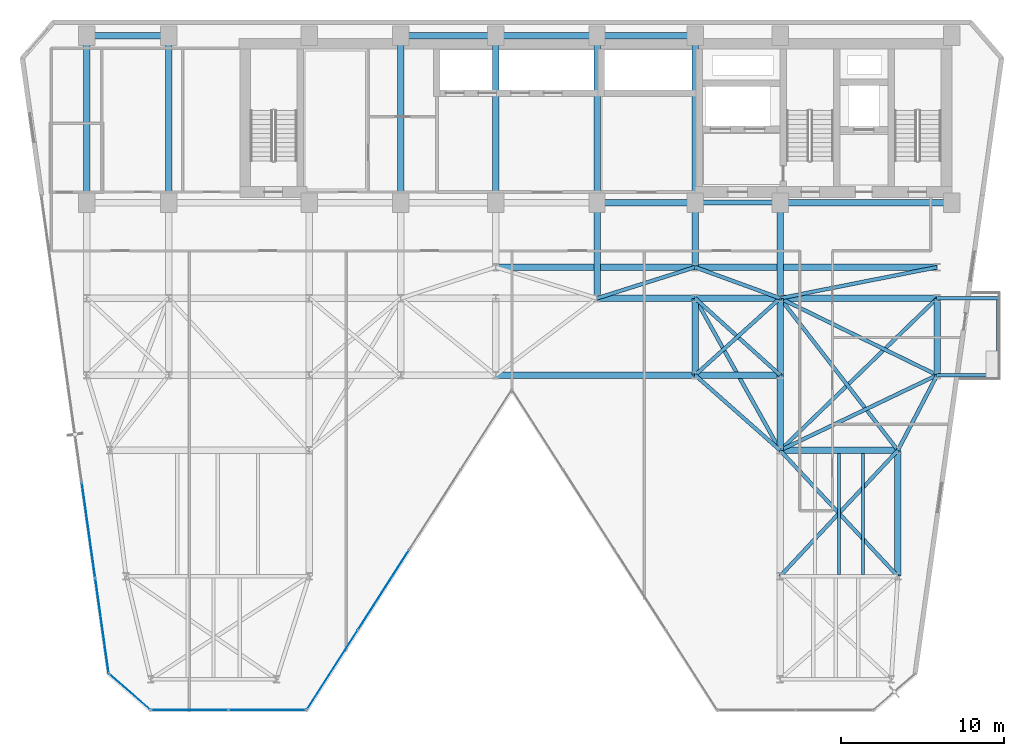
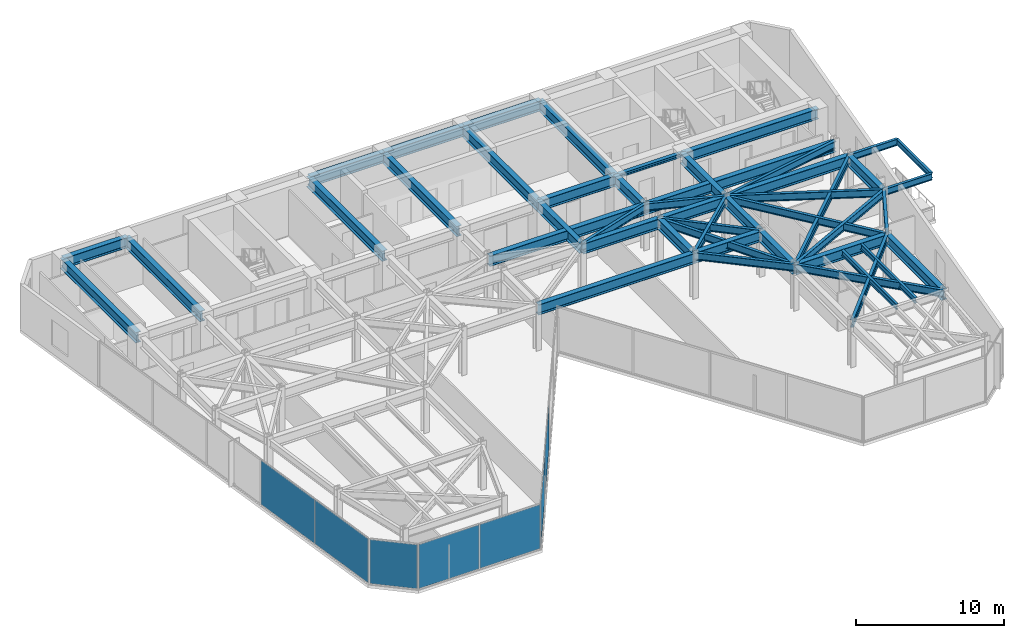
# One storey, part 20 of 26: 48 beams, 7 plates, 4 elements without a shape of their own.
"""IFC4 building model written with IfcOpenShell, lengths in metres."""

from ifc_helpers import new_model, si_unit, direction, frame, origin, origin_2d, place, context, subcontext, project, spatial, rectangle, i_section, extrude, material, layer, layer_set, material_profile, profile_set, type_object, element, aggregate, save


model = new_model("IFC4")

# Units and contexts
model_context = context("Model", 3, precision=1e-05, world=origin(), true_north=direction((0.0, 1.0)))
body_context = subcontext(model_context, "Body", "Model", "MODEL_VIEW")
ifc_project = project(units=[si_unit("LENGTHUNIT", "METRE"), si_unit("AREAUNIT", "SQUARE_METRE"), si_unit("VOLUMEUNIT", "CUBIC_METRE"), si_unit("PLANEANGLEUNIT", "RADIAN"), si_unit("MASSUNIT", "GRAM", prefix="KILO")], contexts=[model_context])

# Site, building, storey
site_placement = place(None, origin())
site = spatial("IfcSite", under=ifc_project, at=site_placement, CompositionType="ELEMENT")
building_placement = place(site_placement, origin())
building = spatial("IfcBuilding", under=site, at=building_placement, Name="Kravanh Interchange Tower", CompositionType="ELEMENT")
storey_placement = place(building_placement, frame((0.0, 0.0, 132.0)))
storey = spatial("IfcBuildingStorey", under=building, at=storey_placement, Name="L31", CompositionType="ELEMENT", Elevation=132.0)

# Beams
ifc_material_1 = material(Name="Structural Steel S355", Category="steel")
ifc_material_profile_1 = material_profile(ifc_material_1, i_section(OverallWidth=0.39990234375, OverallDepth=0.85595703125, WebThickness=0.018310546875, FlangeThickness=0.029296875, FilletRadius=0.02490234375, at=origin_2d()), Name="W33X201")
ifc_profile_set_1 = profile_set([ifc_material_profile_1], Name="Structural Steel S355")
beam_type_1 = type_object("IfcBeamType", Name="Floor Beam W33X201 Structural Steel S355", PredefinedType="BEAM", material=ifc_profile_set_1)
beam_1_placement = place(storey_placement, frame((66.5, 37.35009765625, 3.322021484375), z_axis=(-1.0, 0.0, 0.0), x_axis=(0.0, -1.0, 0.0)))
element("IfcBeam", 1, at=beam_1_placement, inside=storey, type_object=beam_type_1, Name="L31 Primary Floor Girder 5", PredefinedType="BEAM", context=body_context, shape_type="SweptSolid", body=[
    extrude(i_section(OverallWidth=0.39990234375, OverallDepth=0.85595703125, WebThickness=0.018310546875, FlangeThickness=0.029296875, FilletRadius=0.02490234375, at=origin_2d()), origin(), (0.0, 0.0, 1.0), 10.5),
])
beam_2_placement = place(storey_placement, frame((56.0, 37.35009765625, 3.322021484375), z_axis=(0.0, -1.0, 0.0), x_axis=(1.0, 0.0, 0.0)))
element("IfcBeam", 2, at=beam_2_placement, inside=storey, type_object=beam_type_1, Name="L31 Primary Floor Girder 7", PredefinedType="BEAM", context=body_context, shape_type="SweptSolid", body=[
    extrude(i_section(OverallWidth=0.39990234375, OverallDepth=0.85595703125, WebThickness=0.018310546875, FlangeThickness=0.029296875, FilletRadius=0.02490234375, at=origin_2d()), origin(), (0.0, 0.0, 1.0), 5.85009765625),
])
beam_3_placement = place(storey_placement, frame((50.800048828125, 47.550048828125, 3.322021484375), z_axis=(-1.0, 0.0, 0.0), x_axis=(0.0, -1.0, 0.0)))
element("IfcBeam", 3, at=beam_3_placement, inside=storey, type_object=beam_type_1, Name="L31 Primary Floor Girder 8", PredefinedType="BEAM", context=body_context, shape_type="SweptSolid", body=[
    extrude(i_section(OverallWidth=0.39990234375, OverallDepth=0.85595703125, WebThickness=0.018310546875, FlangeThickness=0.029296875, FilletRadius=0.02490234375, at=origin_2d()), origin(), (0.0, 0.0, 1.0), 6.0),
])
beam_4_placement = place(storey_placement, frame((50.800048828125, 47.550048828125, 3.322021484375), z_axis=(0.0, -1.0, 0.0), x_axis=(1.0, 0.0, 0.0)))
element("IfcBeam", 4, at=beam_4_placement, inside=storey, type_object=beam_type_1, Name="L31 Primary Floor Girder 9", PredefinedType="BEAM", context=body_context, shape_type="SweptSolid", body=[
    extrude(i_section(OverallWidth=0.39990234375, OverallDepth=0.85595703125, WebThickness=0.018310546875, FlangeThickness=0.029296875, FilletRadius=0.02490234375, at=origin_2d()), origin(), (0.0, 0.0, 1.0), 10.199951171875),
])
beam_5_placement = place(storey_placement, frame((50.800048828125, 37.35009765625, 3.322021484375), z_axis=(0.0, -1.0, 0.0), x_axis=(1.0, 0.0, 0.0)))
element("IfcBeam", 5, at=beam_5_placement, inside=storey, type_object=beam_type_1, Name="L31 Primary Floor Girder 10", PredefinedType="BEAM", context=body_context, shape_type="SweptSolid", body=[
    extrude(i_section(OverallWidth=0.39990234375, OverallDepth=0.85595703125, WebThickness=0.018310546875, FlangeThickness=0.029296875, FilletRadius=0.02490234375, at=origin_2d()), origin(), (0.0, 0.0, 1.0), 3.9501953125),
])
beam_6_placement = place(storey_placement, frame((50.800048828125, 37.35009765625, 3.322021484375), z_axis=(-1.0, 0.0, 0.0), x_axis=(0.0, -1.0, 0.0)))
element("IfcBeam", 6, at=beam_6_placement, inside=storey, type_object=beam_type_1, Name="L31 Primary Floor Girder 11", PredefinedType="BEAM", context=body_context, shape_type="SweptSolid", body=[
    extrude(i_section(OverallWidth=0.39990234375, OverallDepth=0.85595703125, WebThickness=0.018310546875, FlangeThickness=0.029296875, FilletRadius=0.02490234375, at=origin_2d()), origin(), (0.0, 0.0, 1.0), 6.0),
])
beam_7_placement = place(storey_placement, frame((44.800048828125, 37.35009765625, 3.322021484375), z_axis=(0.0, -1.0, 0.0), x_axis=(1.0, 0.0, 0.0)))
element("IfcBeam", 7, at=beam_7_placement, inside=storey, type_object=beam_type_1, Name="L31 Primary Floor Girder 12", PredefinedType="BEAM", context=body_context, shape_type="SweptSolid", body=[
    extrude(i_section(OverallWidth=0.39990234375, OverallDepth=0.85595703125, WebThickness=0.018310546875, FlangeThickness=0.029296875, FilletRadius=0.02490234375, at=origin_2d()), origin(), (0.0, 0.0, 1.0), 5.85009765625),
])
beam_8_placement = place(storey_placement, frame((44.800048828125, 37.35009765625, 3.322021484375), z_axis=(0.0, 1.0, 0.0), x_axis=(-1.0, 0.0, 0.0)))
element("IfcBeam", 8, at=beam_8_placement, inside=storey, type_object=beam_type_1, Name="L31 Primary Floor Girder 14", PredefinedType="BEAM", context=body_context, shape_type="SweptSolid", body=[
    extrude(i_section(OverallWidth=0.39990234375, OverallDepth=0.85595703125, WebThickness=0.018310546875, FlangeThickness=0.029296875, FilletRadius=0.02490234375, at=origin_2d()), origin(), (0.0, 0.0, 1.0), 10.199951171875),
])
beam_9_placement = place(storey_placement, frame((44.800048828125, 47.550048828125, 3.322021484375), z_axis=(-1.0, 0.0, 0.0), x_axis=(0.0, -1.0, 0.0)))
element("IfcBeam", 9, at=beam_9_placement, inside=storey, type_object=beam_type_1, Name="L31 Primary Floor Girder 15", PredefinedType="BEAM", context=body_context, shape_type="SweptSolid", body=[
    extrude(i_section(OverallWidth=0.39990234375, OverallDepth=0.85595703125, WebThickness=0.018310546875, FlangeThickness=0.029296875, FilletRadius=0.02490234375, at=origin_2d()), origin(), (0.0, 0.0, 1.0), 6.199951171875),
])
beam_10_placement = place(storey_placement, frame((38.60009765625, 37.35009765625, 3.322021484375), z_axis=(0.0, 1.0, 0.0), x_axis=(-1.0, 0.0, 0.0)))
element("IfcBeam", 10, at=beam_10_placement, inside=storey, type_object=beam_type_1, Name="L31 Primary Floor Girder 18", PredefinedType="BEAM", context=body_context, shape_type="SweptSolid", body=[
    extrude(i_section(OverallWidth=0.39990234375, OverallDepth=0.85595703125, WebThickness=0.018310546875, FlangeThickness=0.029296875, FilletRadius=0.02490234375, at=origin_2d()), origin(), (0.0, 0.0, 1.0), 10.199951171875),
])
beam_11_placement = place(storey_placement, frame((38.60009765625, 47.550048828125, 3.322021484375), z_axis=(-1.0, 0.0, 0.0), x_axis=(0.0, -1.0, 0.0)))
element("IfcBeam", 11, at=beam_11_placement, inside=storey, type_object=beam_type_1, Name="L31 Primary Floor Girder 19", PredefinedType="BEAM", context=body_context, shape_type="SweptSolid", body=[
    extrude(i_section(OverallWidth=0.39990234375, OverallDepth=0.85595703125, WebThickness=0.018310546875, FlangeThickness=0.029296875, FilletRadius=0.02490234375, at=origin_2d()), origin(), (0.0, 0.0, 1.0), 5.800048828125),
])
for number, where, z_axis, x_axis, name in (
    (12, (32.800048828125, 37.35009765625, 3.322021484375), (0.0, 1.0, 0.0), (-1.0, 0.0, 0.0), "L31 Primary Floor Girder 22"),
    (13, (18.60009765625, 37.35009765625, 3.322021484375), (0.0, 1.0, 0.0), (-1.0, 0.0, 0.0), "L31 Primary Floor Girder 30"),
):
    element("IfcBeam", number, at=place(storey_placement, frame(where, z_axis=z_axis, x_axis=x_axis)), inside=storey, type_object=beam_type_1, Name=name, PredefinedType="BEAM", context=body_context, shape_type="SweptSolid", body=[
        extrude(i_section(OverallWidth=0.39990234375, OverallDepth=0.85595703125, WebThickness=0.018310546875, FlangeThickness=0.029296875, FilletRadius=0.02490234375, at=origin_2d()), origin(), (0.0, 0.0, 1.0), 10.199951171875),
    ])
beam_12_placement = place(storey_placement, frame((18.60009765625, 47.550048828125, 3.322021484375), z_axis=(-1.0, 0.0, 0.0), x_axis=(0.0, -1.0, 0.0)))
element("IfcBeam", 14, at=beam_12_placement, inside=storey, type_object=beam_type_1, Name="L31 Primary Floor Girder 31", PredefinedType="BEAM", context=body_context, shape_type="SweptSolid", body=[
    extrude(i_section(OverallWidth=0.39990234375, OverallDepth=0.85595703125, WebThickness=0.018310546875, FlangeThickness=0.029296875, FilletRadius=0.02490234375, at=origin_2d()), origin(), (0.0, 0.0, 1.0), 5.0),
])
beam_13_placement = place(storey_placement, frame((13.60009765625, 37.35009765625, 3.322021484375), z_axis=(0.0, 1.0, 0.0), x_axis=(-1.0, 0.0, 0.0)))
element("IfcBeam", 15, at=beam_13_placement, inside=storey, type_object=beam_type_1, Name="L31 Primary Floor Girder 33", PredefinedType="BEAM", context=body_context, shape_type="SweptSolid", body=[
    extrude(i_section(OverallWidth=0.39990234375, OverallDepth=0.85595703125, WebThickness=0.018310546875, FlangeThickness=0.029296875, FilletRadius=0.02490234375, at=origin_2d()), origin(), (0.0, 0.0, 1.0), 10.199951171875),
])
beam_14_placement = place(storey_placement, frame((38.60009765625, 26.800048828125, 3.322021484375), z_axis=(1.0, 0.0, 0.0), x_axis=(0.0, 1.0, 0.0)))
element("IfcBeam", 16, at=beam_14_placement, inside=storey, type_object=beam_type_1, Name="L31 Primary Floor Girder 56", PredefinedType="BEAM", context=body_context, shape_type="SweptSolid", body=[
    extrude(i_section(OverallWidth=0.39990234375, OverallDepth=0.85595703125, WebThickness=0.018310546875, FlangeThickness=0.029296875, FilletRadius=0.02490234375, at=origin_2d()), origin(), (0.0, 0.0, 1.0), 12.199951171875),
])
beam_15_placement = place(storey_placement, frame((50.800048828125, 26.800048828125, 3.322021484375), z_axis=(0.0, 1.0, 0.0), x_axis=(-1.0, 0.0, 0.0)))
element("IfcBeam", 17, at=beam_15_placement, inside=storey, type_object=beam_type_1, Name="L31 Primary Floor Girder 57", PredefinedType="BEAM", context=body_context, shape_type="SweptSolid", body=[
    extrude(i_section(OverallWidth=0.39990234375, OverallDepth=0.85595703125, WebThickness=0.018310546875, FlangeThickness=0.029296875, FilletRadius=0.02490234375, at=origin_2d()), origin(), (0.0, 0.0, 1.0), 4.699951171875),
])
beam_16_placement = place(storey_placement, frame((50.800048828125, 26.800048828125, 3.322021484375), z_axis=(1.0, 0.0, 0.0), x_axis=(0.0, 1.0, 0.0)))
element("IfcBeam", 18, at=beam_16_placement, inside=storey, type_object=beam_type_1, Name="L31 Primary Floor Girder 58", PredefinedType="BEAM", context=body_context, shape_type="SweptSolid", body=[
    extrude(i_section(OverallWidth=0.39990234375, OverallDepth=0.85595703125, WebThickness=0.018310546875, FlangeThickness=0.029296875, FilletRadius=0.02490234375, at=origin_2d()), origin(), (0.0, 0.0, 1.0), 5.199951171875),
])
beam_17_placement = place(storey_placement, frame((56.0, 26.800048828125, 3.322021484375), z_axis=(0.0, -1.0, 0.0), x_axis=(1.0, 0.0, 0.0)))
element("IfcBeam", 19, at=beam_17_placement, inside=storey, type_object=beam_type_1, Name="L31 Primary Floor Girder 61", PredefinedType="BEAM", context=body_context, shape_type="SweptSolid", body=[
    extrude(i_section(OverallWidth=0.39990234375, OverallDepth=0.85595703125, WebThickness=0.018310546875, FlangeThickness=0.029296875, FilletRadius=0.02490234375, at=origin_2d()), origin(), (0.0, 0.0, 1.0), 4.60009765625),
])
for number, where, z_axis, x_axis, name in (
    (20, (56.0, 26.800048828125, 3.322021484375), (0.0, 1.0, 0.0), (-1.0, 0.0, 0.0), "L31 Primary Floor Girder 62"),
    (21, (65.60009765625, 26.800048828125, 3.322021484375), (0.0, 1.0, 0.0), (-1.0, 0.0, 0.0), "L31 Primary Floor Girder 65"),
):
    element("IfcBeam", number, at=place(storey_placement, frame(where, z_axis=z_axis, x_axis=x_axis)), inside=storey, type_object=beam_type_1, Name=name, PredefinedType="BEAM", context=body_context, shape_type="SweptSolid", body=[
        extrude(i_section(OverallWidth=0.39990234375, OverallDepth=0.85595703125, WebThickness=0.018310546875, FlangeThickness=0.029296875, FilletRadius=0.02490234375, at=origin_2d()), origin(), (0.0, 0.0, 1.0), 4.699951171875),
    ])
beam_18_placement = place(storey_placement, frame((44.800048828125, 31.5, 3.322021484375), z_axis=(1.0, 0.0, 0.0), x_axis=(0.0, 1.0, 0.0)))
element("IfcBeam", 22, at=beam_18_placement, inside=storey, type_object=beam_type_1, Name="L31 Primary Floor Girder 83", PredefinedType="BEAM", context=body_context, shape_type="SweptSolid", body=[
    extrude(i_section(OverallWidth=0.39990234375, OverallDepth=0.85595703125, WebThickness=0.018310546875, FlangeThickness=0.029296875, FilletRadius=0.02490234375, at=origin_2d()), origin(), (0.0, 0.0, 1.0), 6.0),
])
beam_19_placement = place(storey_placement, frame((50.800048828125, 31.5, 3.322021484375), z_axis=(1.0, 0.0, 0.0), x_axis=(0.0, 1.0, 0.0)))
element("IfcBeam", 23, at=beam_19_placement, inside=storey, type_object=beam_type_1, Name="L31 Primary Floor Girder 86", PredefinedType="BEAM", context=body_context, shape_type="SweptSolid", body=[
    extrude(i_section(OverallWidth=0.39990234375, OverallDepth=0.85595703125, WebThickness=0.018310546875, FlangeThickness=0.029296875, FilletRadius=0.02490234375, at=origin_2d()), origin(), (0.0, 0.0, 1.0), 5.199951171875),
])
beam_20_placement = place(storey_placement, frame((56.0, 31.5, 3.322021484375), z_axis=(1.0, 0.0, 0.0), x_axis=(0.0, 1.0, 0.0)))
element("IfcBeam", 24, at=beam_20_placement, inside=storey, type_object=beam_type_1, Name="L31 Primary Floor Girder 90", PredefinedType="BEAM", context=body_context, shape_type="SweptSolid", body=[
    extrude(i_section(OverallWidth=0.39990234375, OverallDepth=0.85595703125, WebThickness=0.018310546875, FlangeThickness=0.029296875, FilletRadius=0.02490234375, at=origin_2d()), origin(), (0.0, 0.0, 1.0), 9.60009765625),
])
beam_21_placement = place(storey_placement, frame((63.199951171875, 14.5, 3.322021484375), z_axis=(0.0, 1.0, 0.0), x_axis=(-1.0, 0.0, 0.0)))
element("IfcBeam", 25, at=beam_21_placement, inside=storey, type_object=beam_type_1, Name="L31 Primary Floor Girder 106", PredefinedType="BEAM", context=body_context, shape_type="SweptSolid", body=[
    extrude(i_section(OverallWidth=0.39990234375, OverallDepth=0.85595703125, WebThickness=0.018310546875, FlangeThickness=0.029296875, FilletRadius=0.02490234375, at=origin_2d()), origin(), (0.0, 0.0, 1.0), 7.699951171875),
])
beam_22_placement = place(storey_placement, frame((56.0, 22.199951171875, 3.322021484375), z_axis=(1.0, 0.0, 0.0), x_axis=(0.0, 1.0, 0.0)))
element("IfcBeam", 26, at=beam_22_placement, inside=storey, type_object=beam_type_1, Name="L31 Primary Floor Girder 109", PredefinedType="BEAM", context=body_context, shape_type="SweptSolid", body=[
    extrude(i_section(OverallWidth=0.39990234375, OverallDepth=0.85595703125, WebThickness=0.018310546875, FlangeThickness=0.029296875, FilletRadius=0.02490234375, at=origin_2d()), origin(), (0.0, 0.0, 1.0), 7.199951171875),
])
beam_23_placement = place(storey_placement, frame((38.60009765625, 33.39990234375, 3.322021484375), z_axis=(1.0, 0.0, 0.0), x_axis=(0.0, 1.0, 0.0)))
element("IfcBeam", 27, at=beam_23_placement, inside=storey, type_object=beam_type_1, Name="L31 Primary Floor Girder 111", PredefinedType="BEAM", context=body_context, shape_type="SweptSolid", body=[
    extrude(i_section(OverallWidth=0.39990234375, OverallDepth=0.85595703125, WebThickness=0.018310546875, FlangeThickness=0.029296875, FilletRadius=0.02490234375, at=origin_2d()), origin(), (0.0, 0.0, 1.0), 12.199951171875),
])
beam_24_placement = place(storey_placement, frame((50.800048828125, 33.39990234375, 3.322021484375), z_axis=(1.0, 0.0, 0.0), x_axis=(0.0, 1.0, 0.0)))
element("IfcBeam", 28, at=beam_24_placement, inside=storey, type_object=beam_type_1, Name="L31 Primary Floor Girder 112", PredefinedType="BEAM", context=body_context, shape_type="SweptSolid", body=[
    extrude(i_section(OverallWidth=0.39990234375, OverallDepth=0.85595703125, WebThickness=0.018310546875, FlangeThickness=0.029296875, FilletRadius=0.02490234375, at=origin_2d()), origin(), (0.0, 0.0, 1.0), 14.800048828125),
])
ifc_material_2 = material(Name="Structural Steel S355", Category="steel")
ifc_material_profile_2 = material_profile(ifc_material_2, i_section(OverallWidth=0.18994140625, OverallDepth=0.45703125, WebThickness=0.009033203125, FlangeThickness=0.014404296875, FilletRadius=0.01806640625, at=origin_2d()), Name="W18X50")
ifc_profile_set_2 = profile_set([ifc_material_profile_2], Name="Structural Steel S355")
beam_type_2 = type_object("IfcBeamType", Name="Floor Joist W18X50 Structural Steel S355", PredefinedType="JOIST", material=ifc_profile_set_2)
for number, where, z_axis, x_axis, name in (
    (29, (59.60009765625, 14.60888671875, 3.521484375), (0.0, 1.0, 0.0), (-1.0, 0.0, 0.0), "L31 Secondary Floor Joist 11"),
    (30, (61.074951171875, 14.60888671875, 3.521484375), (0.0, 1.0, 0.0), (-1.0, 0.0, 0.0), "L31 Secondary Floor Joist 12"),
):
    element("IfcBeam", number, at=place(storey_placement, frame(where, z_axis=z_axis, x_axis=x_axis)), inside=storey, type_object=beam_type_2, Name=name, PredefinedType="JOIST", context=body_context, shape_type="SweptSolid", body=[
        extrude(i_section(OverallWidth=0.18994140625, OverallDepth=0.45703125, WebThickness=0.009033203125, FlangeThickness=0.014404296875, FilletRadius=0.01806640625, at=origin_2d()), origin(), (0.0, 0.0, 1.0), 7.39599609375),
    ])
beam_25_placement = place(storey_placement, frame((69.330078125, 26.800048828125, 3.521484375), z_axis=(0.0, 1.0, 0.0), x_axis=(-1.0, 0.0, 0.0)))
element("IfcBeam", 31, at=beam_25_placement, inside=storey, type_object=beam_type_2, Name="L31 Balcony Edge Tie Beam E", PredefinedType="JOIST", context=body_context, shape_type="SweptSolid", body=[
    extrude(i_section(OverallWidth=0.18994140625, OverallDepth=0.45703125, WebThickness=0.009033203125, FlangeThickness=0.014404296875, FilletRadius=0.01806640625, at=origin_2d()), origin(), (0.0, 0.0, 1.0), 4.699951171875),
])
ifc_material_3 = material(Name="Structural Steel S355", Category="steel")
ifc_material_profile_3 = material_profile(ifc_material_3, i_section(OverallWidth=0.304931640625, OverallDepth=0.306884765625, WebThickness=0.010009765625, FlangeThickness=0.015380859375, FilletRadius=0.014892578125, at=origin_2d()), Name="W12X65")
ifc_profile_set_3 = profile_set([ifc_material_profile_3], Name="Structural Steel S355")
beam_type_3 = type_object("IfcBeamType", Name="Floor Lintel W12X65 Structural Steel S355", PredefinedType="LINTEL", material=ifc_profile_set_3)
beam_26_placement = place(storey_placement, frame((50.800048828125, 37.35009765625, 3.596435546875), z_axis=(1.0, 0.0, 0.0), x_axis=(0.0, 1.0, 0.0)))
element("IfcBeam", 32, at=beam_26_placement, inside=storey, type_object=beam_type_3, Name="L31 Core Coupling Lintel 1", PredefinedType="LINTEL", context=body_context, shape_type="SweptSolid", body=[
    extrude(i_section(OverallWidth=0.304931640625, OverallDepth=0.306884765625, WebThickness=0.010009765625, FlangeThickness=0.015380859375, FilletRadius=0.014892578125, at=origin_2d()), origin(), (0.0, 0.0, 1.0), 5.199951171875),
])
ifc_material_4 = material(Name="Structural Steel S355", Category="steel")
ifc_material_profile_4 = material_profile(ifc_material_4, i_section(OverallWidth=0.2099609375, OverallDepth=0.537109375, WebThickness=0.010986328125, FlangeThickness=0.017333984375, FilletRadius=0.02001953125, at=origin_2d()), Name="W21X68")
ifc_profile_set_4 = profile_set([ifc_material_profile_4], Name="Structural Steel S355")
beam_type_4 = type_object("IfcBeamType", Name="Floor Spandrel W21X68 Structural Steel S355", PredefinedType="SPANDREL", material=ifc_profile_set_4)
for number, where, z_axis, x_axis, name in (
    (33, (65.60009765625, 26.800048828125, 3.4814453125), (1.0, 0.0, 0.0), (0.0, 1.0, 0.0), "L31 Balcony Cantilever Outrigger E1"),
    (34, (65.60009765625, 31.5, 3.4814453125), (1.0, 0.0, 0.0), (0.0, 1.0, 0.0), "L31 Balcony Cantilever Outrigger E2"),
):
    element("IfcBeam", number, at=place(storey_placement, frame(where, z_axis=z_axis, x_axis=x_axis)), inside=storey, type_object=beam_type_4, Name=name, PredefinedType="SPANDREL", context=body_context, shape_type="SweptSolid", body=[
        extrude(i_section(OverallWidth=0.2099609375, OverallDepth=0.537109375, WebThickness=0.010986328125, FlangeThickness=0.017333984375, FilletRadius=0.02001953125, at=origin_2d()), origin(), (0.0, 0.0, 1.0), 3.72998046875),
    ])
ifc_material_5 = material(Name="Structural Steel S355", Category="steel")
ifc_material_profile_5 = material_profile(ifc_material_5, i_section(OverallWidth=0.22802734375, OverallDepth=0.60791015625, WebThickness=0.01123046875, FlangeThickness=0.017333984375, FilletRadius=0.02197265625, at=origin_2d()), Name="W24X76")
ifc_profile_set_5 = profile_set([ifc_material_profile_5], Name="Structural Steel S355")
beam_type_5 = type_object("IfcBeamType", Name="Floor Spandrel W24X76 Structural Steel S355", PredefinedType="SPANDREL", material=ifc_profile_set_5)
beam_27_placement = place(storey_placement, frame((50.800048828125, 26.800048828125, 3.446044921875), z_axis=(0.74898649432, -0.662585263439, 0.0), x_axis=(0.662585263439, 0.74898649432, 0.0)))
element("IfcBeam", 35, at=beam_27_placement, inside=storey, type_object=beam_type_5, Name="L31 Perimeter Spandrel 59", PredefinedType="SPANDREL", context=body_context, shape_type="SweptSolid", body=[
    extrude(i_section(OverallWidth=0.22802734375, OverallDepth=0.60791015625, WebThickness=0.01123046875, FlangeThickness=0.017333984375, FilletRadius=0.02197265625, at=origin_2d()), origin(), (0.0, 0.0, 1.0), 6.942626953125),
])
for number, where, z_axis, x_axis, name in (
    (36, (50.800048828125, 26.800048828125, 3.446044921875), (0.741874009795, 0.670539300557, 0.0), (-0.670539300557, 0.741874009795, 0.0), "L31 Perimeter Spandrel 60"),
    (37, (56.0, 26.800048828125, 3.446044921875), (-0.741874009795, 0.670539300557, 0.0), (-0.670539300557, -0.741874009795, 0.0), "L31 Perimeter Spandrel 63"),
):
    element("IfcBeam", number, at=place(storey_placement, frame(where, z_axis=z_axis, x_axis=x_axis)), inside=storey, type_object=beam_type_5, Name=name, PredefinedType="SPANDREL", context=body_context, shape_type="SweptSolid", body=[
        extrude(i_section(OverallWidth=0.22802734375, OverallDepth=0.60791015625, WebThickness=0.01123046875, FlangeThickness=0.017333984375, FilletRadius=0.02197265625, at=origin_2d()), origin(), (0.0, 0.0, 1.0), 7.00927734375),
    ])
beam_28_placement = place(storey_placement, frame((65.60009765625, 26.800048828125, 3.446044921875), z_axis=(-0.462580479178, -0.886577295155, 0.0), x_axis=(0.886577295155, -0.462580479178, 0.0)))
element("IfcBeam", 38, at=beam_28_placement, inside=storey, type_object=beam_type_5, Name="L31 Perimeter Spandrel 66", PredefinedType="SPANDREL", context=body_context, shape_type="SweptSolid", body=[
    extrude(i_section(OverallWidth=0.22802734375, OverallDepth=0.60791015625, WebThickness=0.01123046875, FlangeThickness=0.017333984375, FilletRadius=0.02197265625, at=origin_2d()), origin(), (0.0, 0.0, 1.0), 5.188720703125),
])
beam_29_placement = place(storey_placement, frame((65.60009765625, 26.800048828125, 3.446044921875), z_axis=(-0.901814166789, -0.432124066188, 0.0), x_axis=(0.432124066188, -0.901814166789, 0.0)))
element("IfcBeam", 39, at=beam_29_placement, inside=storey, type_object=beam_type_5, Name="L31 Perimeter Spandrel 67", PredefinedType="SPANDREL", context=body_context, shape_type="SweptSolid", body=[
    extrude(i_section(OverallWidth=0.22802734375, OverallDepth=0.60791015625, WebThickness=0.01123046875, FlangeThickness=0.017333984375, FilletRadius=0.02197265625, at=origin_2d()), origin(), (0.0, 0.0, 1.0), 10.645263671875),
])
beam_30_placement = place(storey_placement, frame((65.60009765625, 26.800048828125, 3.446044921875), z_axis=(-0.898141688387, 0.439706160499, 0.0), x_axis=(-0.439706160499, -0.898141688387, 0.0)))
element("IfcBeam", 40, at=beam_30_placement, inside=storey, type_object=beam_type_5, Name="L31 Perimeter Spandrel 68", PredefinedType="SPANDREL", context=body_context, shape_type="SweptSolid", body=[
    extrude(i_section(OverallWidth=0.22802734375, OverallDepth=0.60791015625, WebThickness=0.01123046875, FlangeThickness=0.017333984375, FilletRadius=0.02197265625, at=origin_2d()), origin(), (0.0, 0.0, 1.0), 10.68896484375),
])
beam_31_placement = place(storey_placement, frame((44.800048828125, 31.5, 3.446044921875), z_axis=(0.953346691051, 0.301877602122, 0.0), x_axis=(-0.301877602122, 0.953346691051, 0.0)))
element("IfcBeam", 41, at=beam_31_placement, inside=storey, type_object=beam_type_5, Name="L31 Perimeter Spandrel 84", PredefinedType="SPANDREL", context=body_context, shape_type="SweptSolid", body=[
    extrude(i_section(OverallWidth=0.22802734375, OverallDepth=0.60791015625, WebThickness=0.01123046875, FlangeThickness=0.017333984375, FilletRadius=0.02197265625, at=origin_2d()), origin(), (0.0, 0.0, 1.0), 6.293701171875),
])
beam_32_placement = place(storey_placement, frame((50.800048828125, 31.5, 3.446044921875), z_axis=(0.488026248114, -0.872828952975, 0.0), x_axis=(0.872828952975, 0.488026248114, 0.0)))
element("IfcBeam", 42, at=beam_32_placement, inside=storey, type_object=beam_type_5, Name="L31 Perimeter Spandrel 87", PredefinedType="SPANDREL", context=body_context, shape_type="SweptSolid", body=[
    extrude(i_section(OverallWidth=0.22802734375, OverallDepth=0.60791015625, WebThickness=0.01123046875, FlangeThickness=0.017333984375, FilletRadius=0.02197265625, at=origin_2d()), origin(), (0.0, 0.0, 1.0), 10.655029296875),
])
beam_33_placement = place(storey_placement, frame((56.0, 31.5, 3.446044921875), z_axis=(-0.93926957103, 0.343180233896, 0.0), x_axis=(-0.343180233896, -0.93926957103, 0.0)))
element("IfcBeam", 43, at=beam_33_placement, inside=storey, type_object=beam_type_5, Name="L31 Perimeter Spandrel 89", PredefinedType="SPANDREL", context=body_context, shape_type="SweptSolid", body=[
    extrude(i_section(OverallWidth=0.22802734375, OverallDepth=0.60791015625, WebThickness=0.01123046875, FlangeThickness=0.017333984375, FilletRadius=0.02197265625, at=origin_2d()), origin(), (0.0, 0.0, 1.0), 5.5361328125),
])
beam_34_placement = place(storey_placement, frame((56.0, 31.5, 3.446044921875), z_axis=(0.980974000807, 0.194139150457, 0.0), x_axis=(-0.194139150457, 0.980974000807, 0.0)))
element("IfcBeam", 44, at=beam_34_placement, inside=storey, type_object=beam_type_5, Name="L31 Perimeter Spandrel 91", PredefinedType="SPANDREL", context=body_context, shape_type="SweptSolid", body=[
    extrude(i_section(OverallWidth=0.22802734375, OverallDepth=0.60791015625, WebThickness=0.01123046875, FlangeThickness=0.017333984375, FilletRadius=0.02197265625, at=origin_2d()), origin(), (0.0, 0.0, 1.0), 9.786376953125),
])
beam_35_placement = place(storey_placement, frame((56.0, 31.5, 3.446044921875), z_axis=(0.612168587637, -0.790727273028, 0.0), x_axis=(0.790727273028, 0.612168587637, 0.0)))
element("IfcBeam", 45, at=beam_35_placement, inside=storey, type_object=beam_type_5, Name="L31 Perimeter Spandrel 92", PredefinedType="SPANDREL", context=body_context, shape_type="SweptSolid", body=[
    extrude(i_section(OverallWidth=0.22802734375, OverallDepth=0.60791015625, WebThickness=0.01123046875, FlangeThickness=0.017333984375, FilletRadius=0.02197265625, at=origin_2d()), origin(), (0.0, 0.0, 1.0), 11.761474609375),
])
beam_36_placement = place(storey_placement, frame((65.60009765625, 31.5, 3.446044921875), z_axis=(-0.718241934329, -0.695793449072, 0.0), x_axis=(0.695793449072, -0.718241934329, 0.0)))
element("IfcBeam", 46, at=beam_36_placement, inside=storey, type_object=beam_type_5, Name="L31 Perimeter Spandrel 94", PredefinedType="SPANDREL", context=body_context, shape_type="SweptSolid", body=[
    extrude(i_section(OverallWidth=0.22802734375, OverallDepth=0.60791015625, WebThickness=0.01123046875, FlangeThickness=0.017333984375, FilletRadius=0.02197265625, at=origin_2d()), origin(), (0.0, 0.0, 1.0), 13.3662109375),
])
for number, where, z_axis, x_axis, name in (
    (47, (56.0, 14.5, 3.446044921875), (0.682993762113, 0.73042420614, 0.0), (-0.73042420614, 0.682993762113, 0.0), "L31 Perimeter Spandrel 105"),
    (48, (63.199951171875, 14.5, 3.446044921875), (-0.682993762113, 0.73042420614, 0.0), (-0.73042420614, -0.682993762113, 0.0), "L31 Perimeter Spandrel 107"),
):
    element("IfcBeam", number, at=place(storey_placement, frame(where, z_axis=z_axis, x_axis=x_axis)), inside=storey, type_object=beam_type_5, Name=name, PredefinedType="SPANDREL", context=body_context, shape_type="SweptSolid", body=[
        extrude(i_section(OverallWidth=0.22802734375, OverallDepth=0.60791015625, WebThickness=0.01123046875, FlangeThickness=0.017333984375, FilletRadius=0.02197265625, at=origin_2d()), origin(), (0.0, 0.0, 1.0), 10.541748046875),
    ])

# Curtain wall, plates
ifc_material_6 = material(Name="Anodised Bronze Aluminium", Category="aluminium")
ifc_layer_1 = layer(ifc_material_6, 0.179931640625)
ifc_layer_set_1 = layer_set([ifc_layer_1], Name="Unitised Curtain Wall System CW-Z2 Mid Office")
curtain_wall_type = type_object("IfcCurtainWallType", Name="Unitised Curtain Wall System CW-Z2 Mid Office", PredefinedType="NOTDEFINED", material=ifc_layer_set_1)
curtain_wall_1_placement = place(storey_placement, origin())
curtain_wall_1 = element("IfcCurtainWall", 49, at=curtain_wall_1_placement, inside=storey, type_object=curtain_wall_type, Name="L31 Unitised Curtain Wall CW-L31-01", PredefinedType="NOTDEFINED")
ifc_material_7 = material(Name="Low-E Laminated Architectural Glass", Category="glass")
ifc_layer_2 = layer(ifc_material_7, 0.02587890625)
ifc_layer_set_2 = layer_set([ifc_layer_2], Name="Solar-Control Double Glazing 26mm")
plate_type = type_object("IfcPlateType", Name="Solar-Control Double Glazing 26mm", PredefinedType="CURTAIN_PANEL", material=ifc_layer_set_2)
plate_1_placement = place(storey_placement, frame((14.524169921875, 11.479736328125, 0.06005859375), z_axis=(0.0, 0.0, 1.0), x_axis=(-0.13917285118, 0.990268103846, 0.0)))
plate_1 = element("IfcPlate", 50, at=plate_1_placement, type_object=plate_type, Name="CW-Z2 panel 1.1", PredefinedType="CURTAIN_PANEL", context=body_context, shape_type="SweptSolid", body=[
    extrude(rectangle(XDim=5.81982421875, YDim=0.02587890625, at=origin_2d()), origin(), (0.0, 0.0, 1.0), 3.6298828125),
])
plate_2_placement = place(storey_placement, frame((13.70361328125, 17.317138671875, 0.06005859375), z_axis=(0.0, 0.0, 1.0), x_axis=(-0.13917285118, 0.990268103846, 0.0)))
plate_2 = element("IfcPlate", 51, at=plate_2_placement, type_object=plate_type, Name="CW-Z2 panel 2.1", PredefinedType="CURTAIN_PANEL", context=body_context, shape_type="SweptSolid", body=[
    extrude(rectangle(XDim=5.849853515625, YDim=0.02587890625, at=origin_2d()), origin(), (0.0, 0.0, 1.0), 3.6298828125),
])
aggregate(curtain_wall_1, [plate_1, plate_2])

curtain_wall_2_placement = place(storey_placement, origin())
curtain_wall_2 = element("IfcCurtainWall", 52, at=curtain_wall_2_placement, inside=storey, type_object=curtain_wall_type, Name="L31 Unitised Curtain Wall CW-L31-05", PredefinedType="NOTDEFINED")
plate_3_placement = place(storey_placement, frame((31.74658203125, 13.6708984375, 0.06005859375), z_axis=(0.0, 0.0, 1.0), x_axis=(-0.539664865919, -0.841879939476, 0.0)))
plate_3 = element("IfcPlate", 53, at=plate_3_placement, type_object=plate_type, Name="CW-Z2 panel 3.1", PredefinedType="CURTAIN_PANEL", context=body_context, shape_type="SweptSolid", body=[
    extrude(rectangle(XDim=5.760986328125, YDim=0.02587890625, at=origin_2d()), origin(), (0.0, 0.0, 1.0), 3.6298828125),
])
plate_4_placement = place(storey_placement, frame((28.61328125, 8.782958984375, 0.06005859375), z_axis=(0.0, 0.0, 1.0), x_axis=(-0.539664865919, -0.841879939476, 0.0)))
plate_4 = element("IfcPlate", 54, at=plate_4_placement, type_object=plate_type, Name="CW-Z2 panel 4.1", PredefinedType="CURTAIN_PANEL", context=body_context, shape_type="SweptSolid", body=[
    extrude(rectangle(XDim=5.73095703125, YDim=0.02587890625, at=origin_2d()), origin(), (0.0, 0.0, 1.0), 3.6298828125),
])
aggregate(curtain_wall_2, [plate_3, plate_4])

curtain_wall_3_placement = place(storey_placement, origin())
curtain_wall_3 = element("IfcCurtainWall", 55, at=curtain_wall_3_placement, inside=storey, type_object=curtain_wall_type, Name="L31 Unitised Curtain Wall CW-L31-06", PredefinedType="NOTDEFINED")
plate_5_placement = place(storey_placement, frame((24.63330078125, 6.320068359375, 0.06005859375), z_axis=(0.0, 0.0, 1.0), x_axis=(-1.0, 0.0, 0.0)))
plate_5 = element("IfcPlate", 56, at=plate_5_placement, type_object=plate_type, Name="CW-Z2 panel 1.1", PredefinedType="CURTAIN_PANEL", context=body_context, shape_type="SweptSolid", body=[
    extrude(rectangle(XDim=4.682373046875, YDim=0.02587890625, at=origin_2d()), origin(), (0.0, 0.0, 1.0), 3.6298828125),
])
plate_6_placement = place(storey_placement, frame((19.890869140625, 6.320068359375, 0.06005859375), z_axis=(0.0, 0.0, 1.0), x_axis=(-1.0, 0.0, 0.0)))
plate_6 = element("IfcPlate", 57, at=plate_6_placement, type_object=plate_type, Name="CW-Z2 panel 2.1", PredefinedType="CURTAIN_PANEL", context=body_context, shape_type="SweptSolid", body=[
    extrude(rectangle(XDim=4.682373046875, YDim=0.02587890625, at=origin_2d()), origin(), (0.0, 0.0, 1.0), 3.6298828125),
])
aggregate(curtain_wall_3, [plate_5, plate_6])

# Curtain wall, plate
curtain_wall_4_placement = place(storey_placement, origin())
curtain_wall_4 = element("IfcCurtainWall", 58, at=curtain_wall_4_placement, inside=storey, type_object=curtain_wall_type, Name="L31 Unitised Curtain Wall CW-L31-07", PredefinedType="NOTDEFINED")
plate_7_placement = place(storey_placement, frame((16.213623046875, 7.429443359375, 0.06005859375), z_axis=(0.0, 0.0, 1.0), x_axis=(-0.754719458103, 0.656047665617, 0.0)))
plate_7 = element("IfcPlate", 59, at=plate_7_placement, type_object=plate_type, Name="CW-Z2 panel 1.1", PredefinedType="CURTAIN_PANEL", context=body_context, shape_type="SweptSolid", body=[
    extrude(rectangle(XDim=3.261962890625, YDim=0.02587890625, at=origin_2d()), origin(), (0.0, 0.0, 1.0), 3.6298828125),
])
aggregate(curtain_wall_4, [plate_7])

save(model, "model.ifc")
